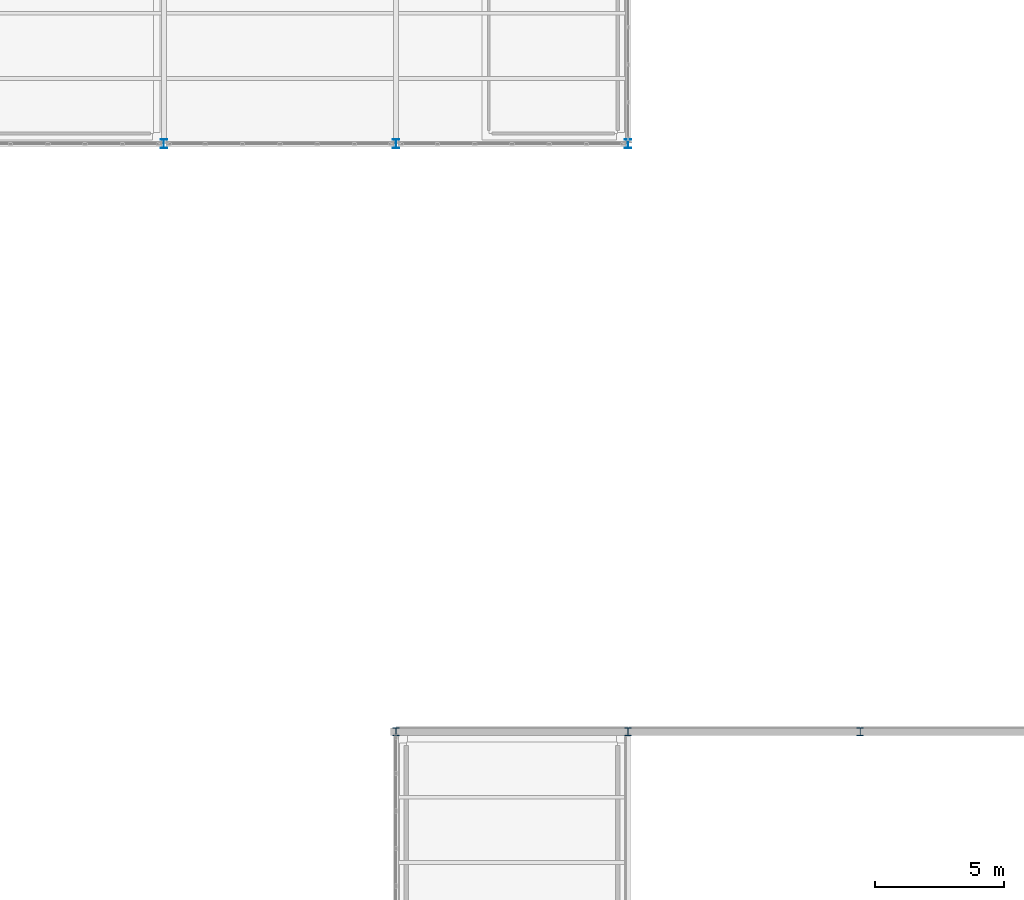
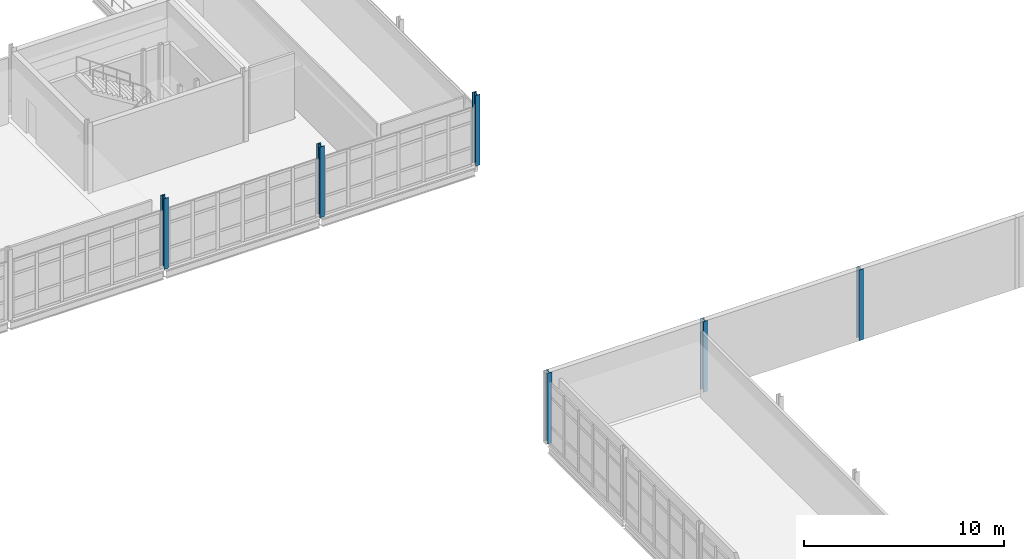
# One storey, part 24 of 174: 6 columns.
"""IFC4 building model written with IfcOpenShell, lengths in metres."""

from ifc_helpers import new_model, si_unit, direction, frame, origin, origin_2d, place, context, subcontext, project, spatial, i_section, extrude, material, material_profile, profile_set, type_object, element, save


model = new_model("IFC4")

# Units and contexts
model_context = context("Model", 3, precision=1e-05, world=origin(), true_north=direction((0.0, 1.0)))
body_context = subcontext(model_context, "Body", "Model", "MODEL_VIEW")
ifc_project = project(units=[si_unit("LENGTHUNIT", "METRE"), si_unit("AREAUNIT", "SQUARE_METRE"), si_unit("VOLUMEUNIT", "CUBIC_METRE"), si_unit("PLANEANGLEUNIT", "RADIAN"), si_unit("MASSUNIT", "GRAM", prefix="KILO")], contexts=[model_context])

# Site, building, storey
site_placement = place(None, origin())
site = spatial("IfcSite", under=ifc_project, at=site_placement, CompositionType="ELEMENT")
building_placement = place(site_placement, origin())
building = spatial("IfcBuilding", under=site, at=building_placement, Name="Caisbarro Railhouse Central Library", CompositionType="ELEMENT")
storey_placement = place(building_placement, frame((0.0, 0.0, 5.0400390625)))
storey = spatial("IfcBuildingStorey", under=building, at=storey_placement, Name="L01", CompositionType="ELEMENT", Elevation=5.0400390625)

# Columns
ifc_material = material(Name="Steel ASTM A572 Grade 50", Category="steel")
ifc_material_profile_1 = material_profile(ifc_material, i_section(OverallWidth=0.25390625, OverallDepth=0.35302734375, WebThickness=0.009521484375, FlangeThickness=0.016357421875, FilletRadius=0.014892578125, at=origin_2d()), Name="W360X91.0")
ifc_profile_set_1 = profile_set([ifc_material_profile_1], Name="Steel ASTM A572 Grade 50")
column_type_1 = type_object("IfcColumnType", Name="COL-C05", PredefinedType="COLUMN", material=ifc_profile_set_1)
for number, where, z_axis, x_axis, name in (
    (1, (135.0, 60.800048828125, 0.0), (0.0, 0.0, 1.0), (1.0, 0.0, 0.0), "C05 column L01 (135.0,60.8)"),
    (2, (144.0, 60.800048828125, 0.0), (0.0, 0.0, 1.0), (1.0, 0.0, 0.0), "C05 column L01 (144.0,60.8)"),
    (3, (153.0, 60.800048828125, 0.0), (0.0, 0.0, 1.0), (1.0, 0.0, 0.0), "C05 column L01 (153.0,60.8)"),
):
    element("IfcColumn", number, at=place(storey_placement, frame(where, z_axis=z_axis, x_axis=x_axis)), inside=storey, type_object=column_type_1, Name=name, PredefinedType="COLUMN", context=body_context, shape_type="SweptSolid", body=[
        extrude(i_section(OverallWidth=0.25390625, OverallDepth=0.35302734375, WebThickness=0.009521484375, FlangeThickness=0.016357421875, FilletRadius=0.014892578125, at=origin_2d()), origin(), (0.0, 0.0, 1.0), 4.320068359375),
    ])
ifc_material_profile_2 = material_profile(ifc_material, i_section(OverallWidth=0.25390625, OverallDepth=0.305908203125, WebThickness=0.0087890625, FlangeThickness=0.0146484375, FilletRadius=0.014892578125, at=origin_2d()), Name="W310X79.0")
ifc_profile_set_2 = profile_set([ifc_material_profile_2], Name="Steel ASTM A572 Grade 50")
column_type_2 = type_object("IfcColumnType", Name="COL-C07", PredefinedType="COLUMN", material=ifc_profile_set_2)
for number, where, z_axis, x_axis, name in (
    (4, (144.0, 38.0, 0.0), (0.0, 0.0, 1.0), (1.0, 0.0, 0.0), "C07 column L01 (144.0,38.0)"),
    (5, (153.0, 38.0, 0.0), (0.0, 0.0, 1.0), (1.0, 0.0, 0.0), "C07 column L01 (153.0,38.0)"),
    (6, (162.0, 38.0, 0.0), (0.0, 0.0, 1.0), (1.0, 0.0, 0.0), "C07 column L01 (162.0,38.0)"),
):
    element("IfcColumn", number, at=place(storey_placement, frame(where, z_axis=z_axis, x_axis=x_axis)), inside=storey, type_object=column_type_2, Name=name, PredefinedType="COLUMN", context=body_context, shape_type="SweptSolid", body=[
        extrude(i_section(OverallWidth=0.25390625, OverallDepth=0.305908203125, WebThickness=0.0087890625, FlangeThickness=0.0146484375, FilletRadius=0.014892578125, at=origin_2d()), origin(), (0.0, 0.0, 1.0), 4.320068359375),
    ])

save(model, "model.ifc")
